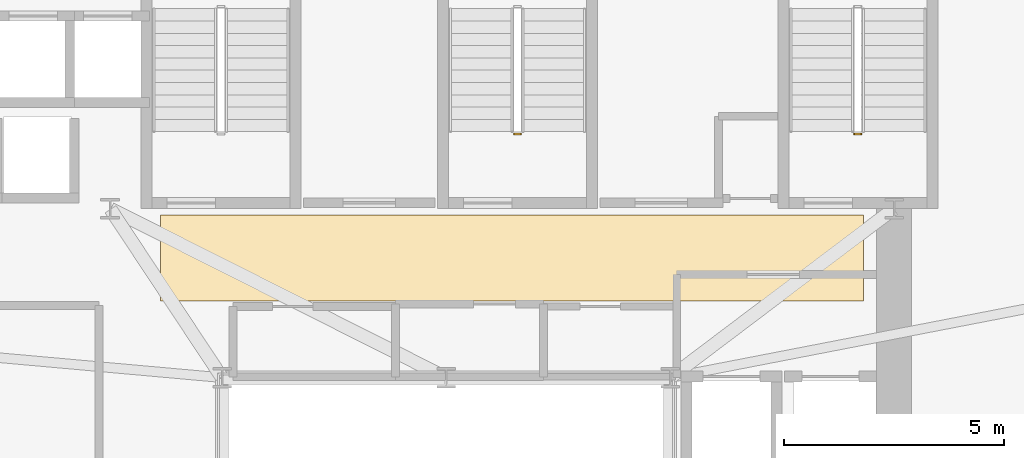
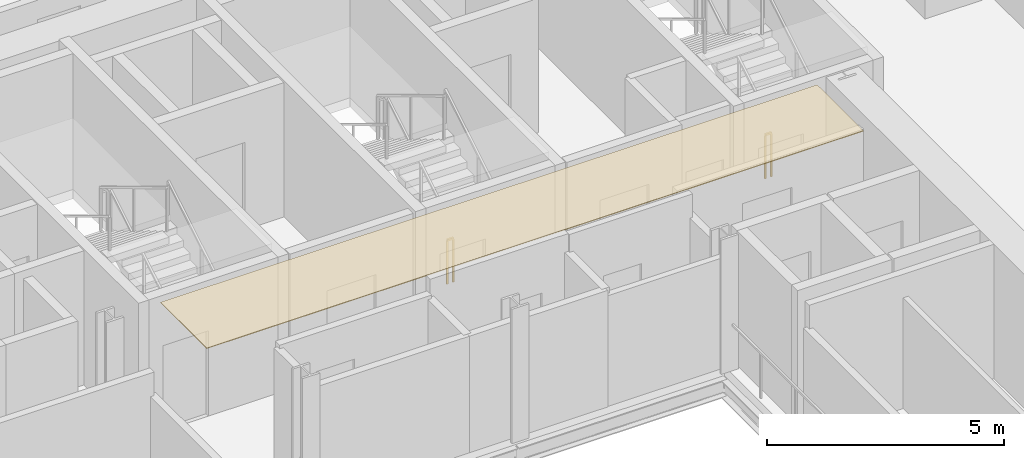
# One storey, part 12 of 14: 2 railings, 1 covering.
"""IFC4 building model written with IfcOpenShell, lengths in metres."""

from ifc_helpers import new_model, si_unit, direction, frame, origin, origin_2d, place, context, subcontext, project, spatial, polyline, rectangle, outline, extrude, source, transform, mapped, material, layer, layer_set, type_object, element, save


model = new_model("IFC4")

# Units and contexts
model_context = context("Model", 3, precision=1e-05, world=origin(), true_north=direction((0.0, 1.0)))
body_context = subcontext(model_context, "Body", "Model", "MODEL_VIEW")
ifc_project = project(units=[si_unit("LENGTHUNIT", "METRE"), si_unit("AREAUNIT", "SQUARE_METRE"), si_unit("VOLUMEUNIT", "CUBIC_METRE"), si_unit("PLANEANGLEUNIT", "RADIAN"), si_unit("MASSUNIT", "GRAM", prefix="KILO")], contexts=[model_context])

# Site, building, storey
site_placement = place(None, origin())
site = spatial("IfcSite", under=ifc_project, at=site_placement, CompositionType="ELEMENT")
building_placement = place(site_placement, origin())
building = spatial("IfcBuilding", under=site, at=building_placement, Name="Vardaveli Station Tower", CompositionType="ELEMENT")
storey_placement = place(building_placement, frame((0.0, 0.0, 148.300048828125)))
storey = spatial("IfcBuildingStorey", under=building, at=storey_placement, Name="L38", CompositionType="ELEMENT", Elevation=148.300048828125)

# Covering
ifc_material_1 = material(Name="Perforated acoustic mineral ceiling")
ifc_layer = layer(ifc_material_1, 0.02001953125, Name="Perforated acoustic mineral ceiling")
ifc_layer_set = layer_set([ifc_layer], Name="Perforated acoustic mineral ceiling")
covering_type = type_object("IfcCoveringType", Name="COV-CEIL-AC20", PredefinedType="CEILING", material=ifc_layer_set)
covering_placement = place(storey_placement, frame((0.0, 0.0, 3.445068359375)))
element("IfcCovering", 1, at=covering_placement, inside=storey, type_object=covering_type, Name="CEIL-L38-4", PredefinedType="CEILING", context=body_context, shape_type="SweptSolid", body=[
    extrude(outline(polyline([(29.800048828125, 28.550048828125), (45.800048828125, 28.550048828125), (45.800048828125, 30.5), (29.800048828125, 30.5), (29.800048828125, 28.550048828125)])), origin(), (0.0, 0.0, 1.0), 0.019775390625),
])

# Railings
ifc_material_2 = material(Name="Brushed AISI 316 stainless steel", Category="steel")
railing_type = type_object("IfcRailingType", Name="RL-GUARD-1150", PredefinedType="GUARDRAIL", material=ifc_material_2)
shared_shape = source(origin(), body_context, "Body", "SweptSolid", [
    extrude(rectangle(XDim=0.048095703125, YDim=0.048095703125, at=origin_2d()), frame((0.0, 0.0, 1.1259765625), z_axis=(-1.0, 0.0, 0.0), x_axis=(0.0, -1.0, 0.0)), (0.0, 0.0, 1.0), 0.14990234375),
    extrude(rectangle(XDim=0.0419921875, YDim=0.0419921875, at=origin_2d()), origin(), (0.0, 0.0, 1.0), 1.101806640625),
    extrude(rectangle(XDim=0.0419921875, YDim=0.0419921875, at=origin_2d()), frame((-0.14990234375, 0.0, 0.0)), (0.0, 0.0, 1.0), 1.101806640625),
])
for number, where, name in (
    (2, (38.0, 32.35009765625, 0.0), "L38 ST-2 stair guard 4"),
    (3, (45.75, 32.35009765625, 0.0), "L38 ST-3 stair guard 4"),
):
    element("IfcRailing", number, at=place(storey_placement, frame(where)), inside=storey, type_object=railing_type, Name=name, PredefinedType="GUARDRAIL", context=body_context, shape_type="MappedRepresentation", body=[
        mapped(shared_shape, transform((0.0, 0.0, 0.0), scale=1.0)),
    ])

save(model, "model.ifc")
